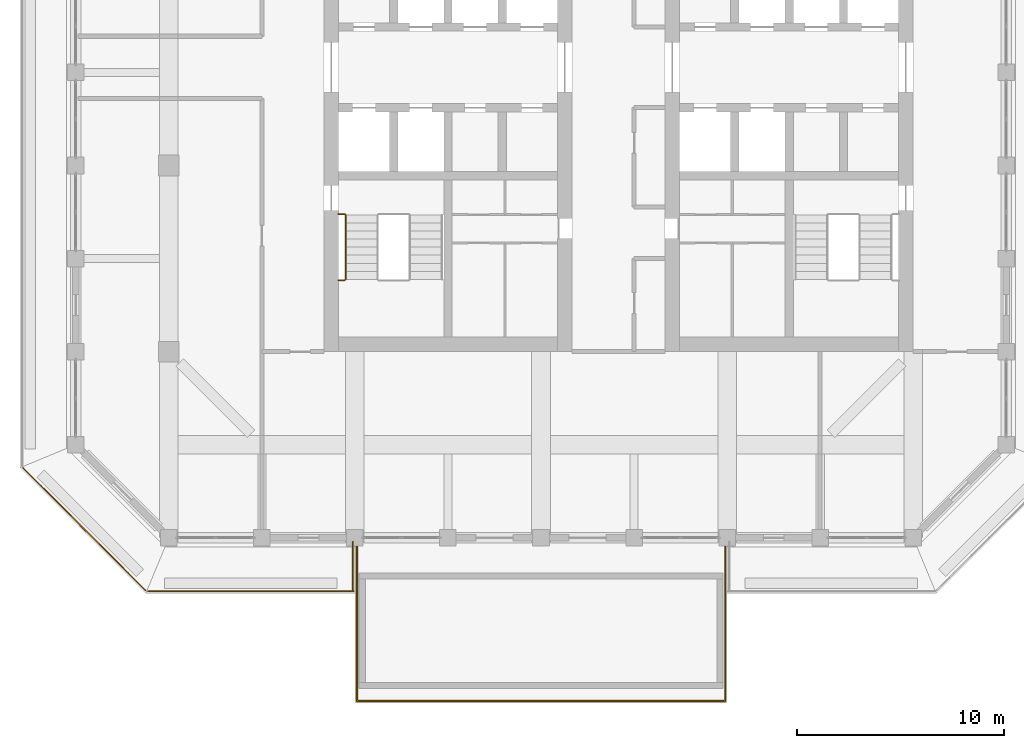
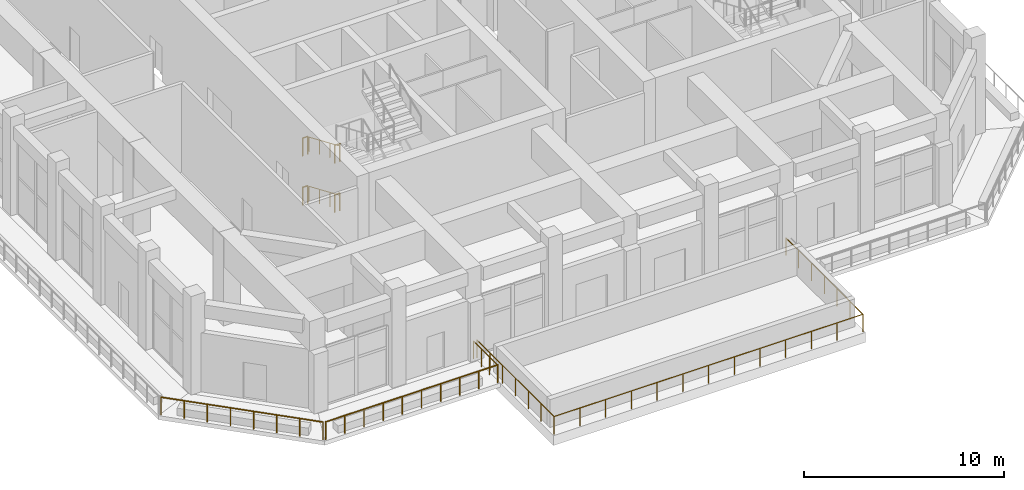
# One storey, part 14 of 20: 10 railings.
"""IFC4 building model written with IfcOpenShell, lengths in metres."""

import ifcopenshell
import ifcopenshell.guid

model = None  # the IFC model being written
_history = None  # IfcOwnerHistory: only IFC2X3 demands one
_inside = {}  # id of a spatial element -> (the spatial element, [elements in it])
_under = {}  # id of a project, library or spatial element -> (it, [spatial elements below it])
_declared = {}  # id of a project -> (the project, [libraries it declares])
_typed = {}  # id of a type object -> (the type object, [elements of that type])
_made_of = {}  # id of a material, layer set ... -> (it, [elements and type objects made of it])


def new_model(schema):
    """Start an empty IFC model of exactly this schema.

    Asked for "IFC4X3", IfcOpenShell would pick the latest addendum, in which some entities
    have other attributes; the version numbers below select the first issue.
    IFC2X3 requires an IfcOwnerHistory on every rooted entity: one is made here for all.
    """
    global model, _history
    if schema == "IFC4X3":
        model = ifcopenshell.file(schema_version=(4, 3, 0, 0))
    else:
        model = ifcopenshell.file(schema=schema)
    _inside.clear()
    _under.clear()
    _declared.clear()
    _typed.clear()
    _made_of.clear()
    _history = None
    if model.schema == "IFC2X3":
        org = make("IfcOrganization", Name="unknown")
        user = make(
            "IfcPersonAndOrganization",
            ThePerson=make("IfcPerson", FamilyName="unknown"),
            TheOrganization=org,
        )
        app = make(
            "IfcApplication",
            ApplicationDeveloper=org,
            Version="unknown",
            ApplicationFullName="unknown",
            ApplicationIdentifier="unknown",
        )
        _history = make(
            "IfcOwnerHistory",
            OwningUser=user,
            OwningApplication=app,
            ChangeAction="ADDED",
            CreationDate=0,
        )
    return model


def make(cls, **values):
    """One entity of the class cls with the attributes given. An attribute that is None is left unset."""
    return model.create_entity(
        cls, **{name: value for name, value in values.items() if value is not None}
    )


def rooted(cls, **values):
    """An entity with a GlobalId (a new one), such as an element, a storey or a relation."""
    return make(cls, GlobalId=ifcopenshell.guid.new(), OwnerHistory=_history, **values)


def si_unit(unit_type, name, prefix=None):
    """IfcSIUnit, for example si_unit("LENGTHUNIT", "METRE", prefix="MILLI")."""
    return make("IfcSIUnit", UnitType=unit_type, Prefix=prefix, Name=name)


def assignment(units):
    """IfcUnitAssignment: the units of a project."""
    return None if units is None else make("IfcUnitAssignment", Units=units)


def point(xyz):
    """IfcCartesianPoint."""
    return None if xyz is None else make("IfcCartesianPoint", Coordinates=xyz)


def direction(xyz):
    """IfcDirection."""
    return None if xyz is None else make("IfcDirection", DirectionRatios=xyz)


def frame(location, z_axis=None, x_axis=None):
    """IfcAxis2Placement3D, a coordinate frame: its origin and axes. An axis left out is left unset."""
    return make(
        "IfcAxis2Placement3D",
        Location=point(location),
        Axis=direction(z_axis),
        RefDirection=direction(x_axis),
    )


def frame_2d(location, x_axis=None):
    """IfcAxis2Placement2D, a coordinate frame in the plane: its origin and x axis."""
    return make(
        "IfcAxis2Placement2D", Location=point(location), RefDirection=direction(x_axis)
    )


def origin():
    """The frame at (0, 0, 0) with its axes left unset."""
    return frame((0.0, 0.0, 0.0))


def origin_2d():
    """The frame at (0, 0) in the plane with its x axis left unset."""
    return frame_2d((0.0, 0.0))


def place(relative_to, where):
    """IfcLocalPlacement: puts the frame where relative to a parent placement (None: the world)."""
    return make(
        "IfcLocalPlacement", PlacementRelTo=relative_to, RelativePlacement=where
    )


def context(
    kind, dimensions, precision=None, world=None, true_north=None, identifier=None
):
    """IfcGeometricRepresentationContext, for example the 3D "Model" context."""
    return make(
        "IfcGeometricRepresentationContext",
        ContextIdentifier=identifier,
        ContextType=kind,
        CoordinateSpaceDimension=dimensions,
        Precision=precision,
        WorldCoordinateSystem=world,
        TrueNorth=true_north,
    )


def subcontext(parent, identifier, kind, view, scale=None):
    """IfcGeometricRepresentationSubContext, for example "Body" below "Model"."""
    return make(
        "IfcGeometricRepresentationSubContext",
        ContextIdentifier=identifier,
        ContextType=kind,
        ParentContext=parent,
        TargetScale=scale,
        TargetView=view,
    )


def project(units=None, contexts=None):
    """IfcProject with its units and contexts."""
    return rooted(
        "IfcProject",
        Name="project",
        RepresentationContexts=contexts,
        UnitsInContext=assignment(units),
    )


def spatial(cls, under=None, at=None, **own):
    """A site, building, storey or space (cls), placed at a placement, below another one or the project."""
    s = rooted(cls, ObjectPlacement=at, **own)
    if under is not None:
        _under.setdefault(under.id(), (under, []))[1].append(s)
    return s


def profile(cls, at=None, kind="AREA", **sizes):
    """A parametric profile (cls). Its sizes go by their IFC names, for example OverallWidth=200.0."""
    return make(cls, ProfileType=kind, Position=at, **sizes)


def circle(**sizes):
    """IfcCircleProfileDef."""
    return profile("IfcCircleProfileDef", **sizes)


def extrude(swept, where, along, depth):
    """IfcExtrudedAreaSolid: the profile swept, set in the frame where, extruded along a direction by depth."""
    return make(
        "IfcExtrudedAreaSolid",
        SweptArea=swept,
        Position=where,
        ExtrudedDirection=direction(along),
        Depth=depth,
    )


def shape(context_of_items, identifier, shape_type, items):
    """IfcShapeRepresentation: the items that make up one representation, for example the "Body"."""
    return make(
        "IfcShapeRepresentation",
        ContextOfItems=context_of_items,
        RepresentationIdentifier=identifier,
        RepresentationType=shape_type,
        Items=items,
    )


def material(Name=None, Category=None):
    """IfcMaterial."""
    return make("IfcMaterial", Name=Name, Category=Category)


def made_of(thing, what):
    """Note that an element or type object is made of a material, layer set ...; save() writes the relation."""
    if what is not None:
        _made_of.setdefault(what.id(), (what, []))[1].append(thing)
    return thing


def type_object(cls, material=None, **own):
    """A type object (cls), such as IfcWallType, which elements share."""
    return made_of(rooted(cls, **own), material)


def element(
    cls,
    number,
    at=None,
    inside=None,
    cuts=None,
    type_object=None,
    material=None,
    context=None,
    identifier="Body",
    shape_type=None,
    held_by="IfcProductDefinitionShape",
    body=None,
    shapes=None,
    **own,
):
    """One element of the class cls, such as IfcWall. Its Tag is "e" and its number.

    at: its placement. inside: the storey or other place that contains it. cuts: it is an
    opening in that element (IfcRelVoidsElement). A single representation is given by context,
    identifier, shape_type and body (its items); several are given by shapes. held_by: the class
    of the entity that holds the representations. save() writes the other relations.
    """
    e = rooted(cls, Tag="e%d" % number, ObjectPlacement=at, **own)
    if body is not None:
        shapes = [shape(context, identifier, shape_type, body)]
    if shapes is not None:
        e.Representation = make(held_by, Representations=shapes)
    if inside is not None:
        _inside.setdefault(inside.id(), (inside, []))[1].append(e)
    if cuts is not None:
        rooted(
            "IfcRelVoidsElement", RelatingBuildingElement=cuts, RelatedOpeningElement=e
        )
    if type_object is not None:
        _typed.setdefault(type_object.id(), (type_object, []))[1].append(e)
    return made_of(e, material)


def aggregate(whole, parts):
    """IfcRelAggregates: a whole, such as a stair, and the parts it consists of."""
    return rooted("IfcRelAggregates", RelatingObject=whole, RelatedObjects=parts)


def save(model, path):
    """Write the relations noted so far, then the file.

    IfcRelAggregates (storeys below a building ...), IfcRelContainedInSpatialStructure (elements
    in a storey), IfcRelDefinesByType, IfcRelAssociatesMaterial and IfcRelDeclares: one each for
    every whole, place, type object, material and project.
    """
    for whole, parts in _under.values():
        aggregate(whole, parts)
    for where, things in _inside.values():
        rooted(
            "IfcRelContainedInSpatialStructure",
            RelatedElements=things,
            RelatingStructure=where,
        )
    for kind, things in _typed.values():
        rooted("IfcRelDefinesByType", RelatedObjects=things, RelatingType=kind)
    for what, things in _made_of.values():
        rooted("IfcRelAssociatesMaterial", RelatedObjects=things, RelatingMaterial=what)
    for by, libraries in _declared.values():
        rooted("IfcRelDeclares", RelatingContext=by, RelatedDefinitions=libraries)
    model.write(path)


model = new_model("IFC4")

# Units and contexts
model_context = context("Model", 3, precision=1e-05, world=origin(), true_north=direction((0.0, 1.0)))
body_context = subcontext(model_context, "Body", "Model", "MODEL_VIEW")
ifc_project = project(units=[si_unit("LENGTHUNIT", "METRE"), si_unit("AREAUNIT", "SQUARE_METRE"), si_unit("VOLUMEUNIT", "CUBIC_METRE"), si_unit("PLANEANGLEUNIT", "RADIAN"), si_unit("MASSUNIT", "GRAM", prefix="KILO")], contexts=[model_context])

# Site, building, storey
site_placement = place(None, origin())
site = spatial("IfcSite", under=ifc_project, at=site_placement, CompositionType="ELEMENT")
building_placement = place(site_placement, origin())
building = spatial("IfcBuilding", under=site, at=building_placement, Name="Corbel Stack Research Tower", CompositionType="ELEMENT")
storey_placement = place(building_placement, frame((0.0, 0.0, 295.0)))
storey = spatial("IfcBuildingStorey", under=building, at=storey_placement, Name="L67", CompositionType="ELEMENT", Elevation=295.0)

# Railings
ifc_material_1 = material(Name="Laminated glass and stainless steel", Category="steel")
railing_type_1 = type_object("IfcRailingType", Name="Pool edge guard, laminated glass 1100", PredefinedType="GUARDRAIL", material=ifc_material_1)
railing_1_placement = place(storey_placement, frame((-8.89990234375, -18.199951171875, 0.0)))
element("IfcRailing", 1, at=railing_1_placement, inside=storey, type_object=railing_type_1, Name="Sky pool edge guard", PredefinedType="GUARDRAIL", context=body_context, shape_type="SweptSolid", body=[
    extrude(circle(Radius=0.02490234375, at=origin_2d()), frame((0.0, 0.0, 1.0751953125), z_axis=(0.0, -1.0, 0.0), x_axis=(1.0, 0.0, 0.0)), (0.0, 0.0, 1.0), 7.699951171875),
    extrude(circle(Radius=0.02490234375, at=origin_2d()), frame((0.0, -7.699951171875, 1.0751953125), z_axis=(1.0, 0.0, 0.0), x_axis=(0.0, 1.0, 0.0)), (0.0, 0.0, 1.0), 17.7998046875),
    extrude(circle(Radius=0.02490234375, at=origin_2d()), frame((17.7998046875, -7.699951171875, 1.0751953125), z_axis=(0.0, 1.0, 0.0), x_axis=(-1.0, 0.0, 0.0)), (0.0, 0.0, 1.0), 7.699951171875),
    extrude(circle(Radius=0.02490234375, at=origin_2d()), origin(), (0.0, 0.0, 1.0), 1.050048828125),
    extrude(circle(Radius=0.02490234375, at=origin_2d()), frame((0.0, -1.283203125, 0.0)), (0.0, 0.0, 1.0), 1.050048828125),
    extrude(circle(Radius=0.02490234375, at=origin_2d()), frame((0.0, -2.566650390625, 0.0)), (0.0, 0.0, 1.0), 1.050048828125),
    extrude(circle(Radius=0.02490234375, at=origin_2d()), frame((0.0, -3.85009765625, 0.0)), (0.0, 0.0, 1.0), 1.050048828125),
    extrude(circle(Radius=0.02490234375, at=origin_2d()), frame((0.0, -5.13330078125, 0.0)), (0.0, 0.0, 1.0), 1.050048828125),
    extrude(circle(Radius=0.02490234375, at=origin_2d()), frame((0.0, -6.41650390625, 0.0)), (0.0, 0.0, 1.0), 1.050048828125),
    extrude(circle(Radius=0.02490234375, at=origin_2d()), frame((0.0, -7.699951171875, 0.0)), (0.0, 0.0, 1.0), 1.050048828125),
    extrude(circle(Radius=0.02490234375, at=origin_2d()), frame((1.4833984375, -7.699951171875, 0.0)), (0.0, 0.0, 1.0), 1.050048828125),
    extrude(circle(Radius=0.02490234375, at=origin_2d()), frame((2.966552734375, -7.699951171875, 0.0)), (0.0, 0.0, 1.0), 1.050048828125),
    extrude(circle(Radius=0.02490234375, at=origin_2d()), frame((4.449951171875, -7.699951171875, 0.0)), (0.0, 0.0, 1.0), 1.050048828125),
    extrude(circle(Radius=0.02490234375, at=origin_2d()), frame((5.933349609375, -7.699951171875, 0.0)), (0.0, 0.0, 1.0), 1.050048828125),
    extrude(circle(Radius=0.02490234375, at=origin_2d()), frame((7.41650390625, -7.699951171875, 0.0)), (0.0, 0.0, 1.0), 1.050048828125),
    extrude(circle(Radius=0.02490234375, at=origin_2d()), frame((8.89990234375, -7.699951171875, 0.0)), (0.0, 0.0, 1.0), 1.050048828125),
    extrude(circle(Radius=0.02490234375, at=origin_2d()), frame((10.38330078125, -7.699951171875, 0.0)), (0.0, 0.0, 1.0), 1.050048828125),
    extrude(circle(Radius=0.02490234375, at=origin_2d()), frame((11.866455078125, -7.699951171875, 0.0)), (0.0, 0.0, 1.0), 1.050048828125),
    extrude(circle(Radius=0.02490234375, at=origin_2d()), frame((13.349853515625, -7.699951171875, 0.0)), (0.0, 0.0, 1.0), 1.050048828125),
    extrude(circle(Radius=0.02490234375, at=origin_2d()), frame((14.833251953125, -7.699951171875, 0.0)), (0.0, 0.0, 1.0), 1.050048828125),
    extrude(circle(Radius=0.02490234375, at=origin_2d()), frame((16.31640625, -7.699951171875, 0.0)), (0.0, 0.0, 1.0), 1.050048828125),
    extrude(circle(Radius=0.02490234375, at=origin_2d()), frame((17.7998046875, -7.699951171875, 0.0)), (0.0, 0.0, 1.0), 1.050048828125),
    extrude(circle(Radius=0.02490234375, at=origin_2d()), frame((17.7998046875, -6.41650390625, 0.0)), (0.0, 0.0, 1.0), 1.050048828125),
    extrude(circle(Radius=0.02490234375, at=origin_2d()), frame((17.7998046875, -5.13330078125, 0.0)), (0.0, 0.0, 1.0), 1.050048828125),
    extrude(circle(Radius=0.02490234375, at=origin_2d()), frame((17.7998046875, -3.85009765625, 0.0)), (0.0, 0.0, 1.0), 1.050048828125),
    extrude(circle(Radius=0.02490234375, at=origin_2d()), frame((17.7998046875, -2.566650390625, 0.0)), (0.0, 0.0, 1.0), 1.050048828125),
    extrude(circle(Radius=0.02490234375, at=origin_2d()), frame((17.7998046875, -1.283203125, 0.0)), (0.0, 0.0, 1.0), 1.050048828125),
    extrude(circle(Radius=0.02490234375, at=origin_2d()), frame((17.7998046875, 0.0, 0.0)), (0.0, 0.0, 1.0), 1.050048828125),
])
ifc_material_2 = material(Name="Steel S355", Category="steel")
railing_type_2 = type_object("IfcRailingType", Name="Stair guard 1100", PredefinedType="GUARDRAIL", material=ifc_material_2)
for number, where, name in (
    (2, (-9.800048828125, -5.553955078125, 1.5), "L67 ST-W1 stair guard 3"),
    (3, (-9.800048828125, -2.35009765625, 3.0), "L67 ST-W1 stair guard 6"),
    (4, (-9.800048828125, -5.553955078125, 4.5), "L67 ST-W1 stair guard 9"),
    (5, (-9.800048828125, -2.35009765625, 0.0), "L67 ST-W1 stair guard 12"),
):
    element("IfcRailing", number, at=place(storey_placement, frame(where)), inside=storey, type_object=railing_type_2, Name=name, PredefinedType="GUARDRAIL", context=body_context, shape_type="SweptSolid", body=[
        extrude(circle(Radius=0.02392578125, at=origin_2d()), frame((0.0, 0.0, 1.076171875), z_axis=(1.0, 0.0, 0.0), x_axis=(0.0, 1.0, 0.0)), (0.0, 0.0, 1.0), 0.300048828125),
        extrude(circle(Radius=0.02099609375, at=origin_2d()), origin(), (0.0, 0.0, 1.0), 1.052001953125),
        extrude(circle(Radius=0.02099609375, at=origin_2d()), frame((0.300048828125, 0.0, 0.0)), (0.0, 0.0, 1.0), 1.052001953125),
    ])
ifc_material_3 = material(Name="Steel S355", Category="steel")
railing_type_3 = type_object("IfcRailingType", Name="Stair handrail 900", PredefinedType="HANDRAIL", material=ifc_material_3)
for number, where, name in (
    (6, (-9.449951171875, -2.39990234375, 0.166748046875), "L67 ST-W1 stair handrail 1"),
    (7, (-9.449951171875, -2.39990234375, 3.166748046875), "L67 ST-W1 stair handrail 3"),
):
    element("IfcRailing", number, at=place(storey_placement, frame(where)), inside=storey, type_object=railing_type_3, Name=name, PredefinedType="HANDRAIL", context=body_context, shape_type="SweptSolid", body=[
        extrude(circle(Radius=0.02392578125, at=origin_2d()), frame((0.0, 0.0, 0.8759765625), z_axis=(0.0, -0.918826996994, 0.394660549834), x_axis=(1.0, 0.0, 0.0)), (0.0, 0.0, 1.0), 3.378173828125),
        extrude(circle(Radius=0.02099609375, at=origin_2d()), origin(), (0.0, 0.0, 1.0), 0.851806640625),
        extrude(circle(Radius=0.02099609375, at=origin_2d()), frame((0.0, -1.03466796875, 0.4443359375)), (0.0, 0.0, 1.0), 0.851806640625),
        extrude(circle(Radius=0.02099609375, at=origin_2d()), frame((0.0, -2.0693359375, 0.888916015625)), (0.0, 0.0, 1.0), 0.851806640625),
        extrude(circle(Radius=0.02099609375, at=origin_2d()), frame((0.0, -3.10400390625, 1.333251953125)), (0.0, 0.0, 1.0), 0.851806640625),
    ])
ifc_material_4 = material(Name="Powder-coated steel guard", Category="steel")
railing_type_4 = type_object("IfcRailingType", Name="Steel and glass guard 1100", PredefinedType="GUARDRAIL", material=ifc_material_4)
railing_2_placement = place(storey_placement, frame((-19.00537109375, -20.60009765625, 0.0)))
element("IfcRailing", 8, at=railing_2_placement, inside=storey, type_object=railing_type_4, Name="Loggia guard L67 S", PredefinedType="GUARDRAIL", context=body_context, shape_type="SweptSolid", body=[
    extrude(circle(Radius=0.02392578125, at=origin_2d()), frame((0.0, 0.0, 1.076171875), z_axis=(1.0, 0.0, 0.0), x_axis=(0.0, 1.0, 0.0)), (0.0, 0.0, 1.0), 9.935302734375),
    extrude(circle(Radius=0.02099609375, at=origin_2d()), origin(), (0.0, 0.0, 1.0), 1.052001953125),
    extrude(circle(Radius=0.02099609375, at=origin_2d()), frame((1.10400390625, 0.0, 0.0)), (0.0, 0.0, 1.0), 1.052001953125),
    extrude(circle(Radius=0.02099609375, at=origin_2d()), frame((2.207763671875, 0.0, 0.0)), (0.0, 0.0, 1.0), 1.052001953125),
    extrude(circle(Radius=0.02099609375, at=origin_2d()), frame((3.311767578125, 0.0, 0.0)), (0.0, 0.0, 1.0), 1.052001953125),
    extrude(circle(Radius=0.02099609375, at=origin_2d()), frame((4.415771484375, 0.0, 0.0)), (0.0, 0.0, 1.0), 1.052001953125),
    extrude(circle(Radius=0.02099609375, at=origin_2d()), frame((5.51953125, 0.0, 0.0)), (0.0, 0.0, 1.0), 1.052001953125),
    extrude(circle(Radius=0.02099609375, at=origin_2d()), frame((6.62353515625, 0.0, 0.0)), (0.0, 0.0, 1.0), 1.052001953125),
    extrude(circle(Radius=0.02099609375, at=origin_2d()), frame((7.7275390625, 0.0, 0.0)), (0.0, 0.0, 1.0), 1.052001953125),
    extrude(circle(Radius=0.02099609375, at=origin_2d()), frame((8.831298828125, 0.0, 0.0)), (0.0, 0.0, 1.0), 1.052001953125),
    extrude(circle(Radius=0.02099609375, at=origin_2d()), frame((9.935302734375, 0.0, 0.0)), (0.0, 0.0, 1.0), 1.052001953125),
])
railing_3_placement = place(storey_placement, frame((-9.10009765625, -18.199951171875, 0.0)))
element("IfcRailing", 9, at=railing_3_placement, inside=storey, type_object=railing_type_4, Name="Loggia guard L67 pool side", PredefinedType="GUARDRAIL", context=body_context, shape_type="SweptSolid", body=[
    extrude(circle(Radius=0.02392578125, at=origin_2d()), frame((0.0, 0.0, 1.076171875), z_axis=(0.0, -1.0, 0.0), x_axis=(1.0, 0.0, 0.0)), (0.0, 0.0, 1.0), 2.400146484375),
    extrude(circle(Radius=0.02099609375, at=origin_2d()), origin(), (0.0, 0.0, 1.0), 1.052001953125),
    extrude(circle(Radius=0.02099609375, at=origin_2d()), frame((0.0, -0.800048828125, 0.0)), (0.0, 0.0, 1.0), 1.052001953125),
    extrude(circle(Radius=0.02099609375, at=origin_2d()), frame((0.0, -1.60009765625, 0.0)), (0.0, 0.0, 1.0), 1.052001953125),
    extrude(circle(Radius=0.02099609375, at=origin_2d()), frame((0.0, -2.400146484375, 0.0)), (0.0, 0.0, 1.0), 1.052001953125),
])
railing_4_placement = place(storey_placement, frame((-25.04931640625, -14.627685546875, 0.0)))
element("IfcRailing", 10, at=railing_4_placement, inside=storey, type_object=railing_type_4, Name="Loggia guard L67 SW", PredefinedType="GUARDRAIL", context=body_context, shape_type="SweptSolid", body=[
    extrude(circle(Radius=0.02392578125, at=origin_2d()), frame((0.0, 0.0, 1.076171875), z_axis=(0.707106781187, -0.707106781187, 0.0), x_axis=(0.707106781187, 0.707106781187, 0.0)), (0.0, 0.0, 1.0), 8.37451171875),
    extrude(circle(Radius=0.02099609375, at=origin_2d()), origin(), (0.0, 0.0, 1.0), 1.052001953125),
    extrude(circle(Radius=0.02099609375, at=origin_2d()), frame((0.845947265625, -0.845947265625, 0.0)), (0.0, 0.0, 1.0), 1.052001953125),
    extrude(circle(Radius=0.02099609375, at=origin_2d()), frame((1.69189453125, -1.69189453125, 0.0)), (0.0, 0.0, 1.0), 1.052001953125),
    extrude(circle(Radius=0.02099609375, at=origin_2d()), frame((2.537841796875, -2.537841796875, 0.0)), (0.0, 0.0, 1.0), 1.052001953125),
    extrude(circle(Radius=0.02099609375, at=origin_2d()), frame((3.3837890625, -3.3837890625, 0.0)), (0.0, 0.0, 1.0), 1.052001953125),
    extrude(circle(Radius=0.02099609375, at=origin_2d()), frame((4.229736328125, -4.229736328125, 0.0)), (0.0, 0.0, 1.0), 1.052001953125),
    extrude(circle(Radius=0.02099609375, at=origin_2d()), frame((5.07568359375, -5.07568359375, 0.0)), (0.0, 0.0, 1.0), 1.052001953125),
    extrude(circle(Radius=0.02099609375, at=origin_2d()), frame((5.921630859375, -5.921630859375, 0.0)), (0.0, 0.0, 1.0), 1.052001953125),
])

save(model, "model.ifc")
